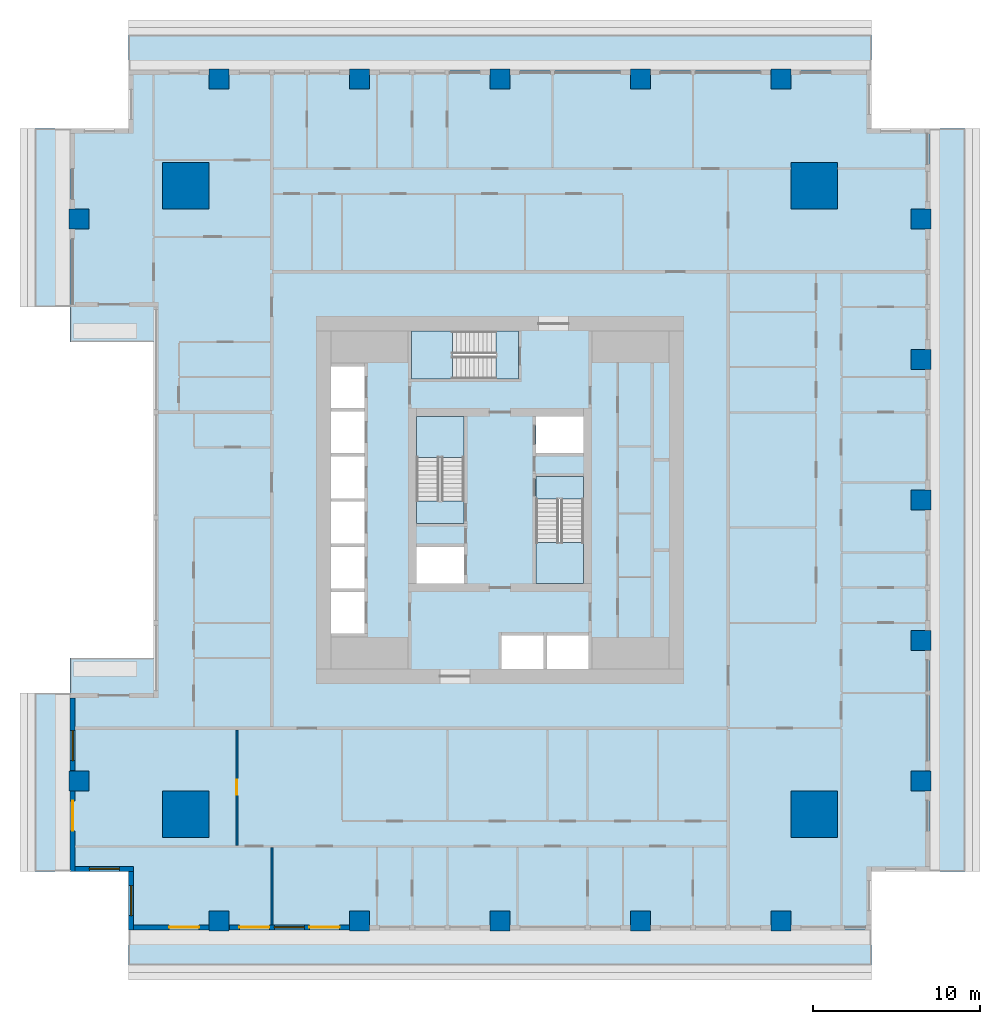
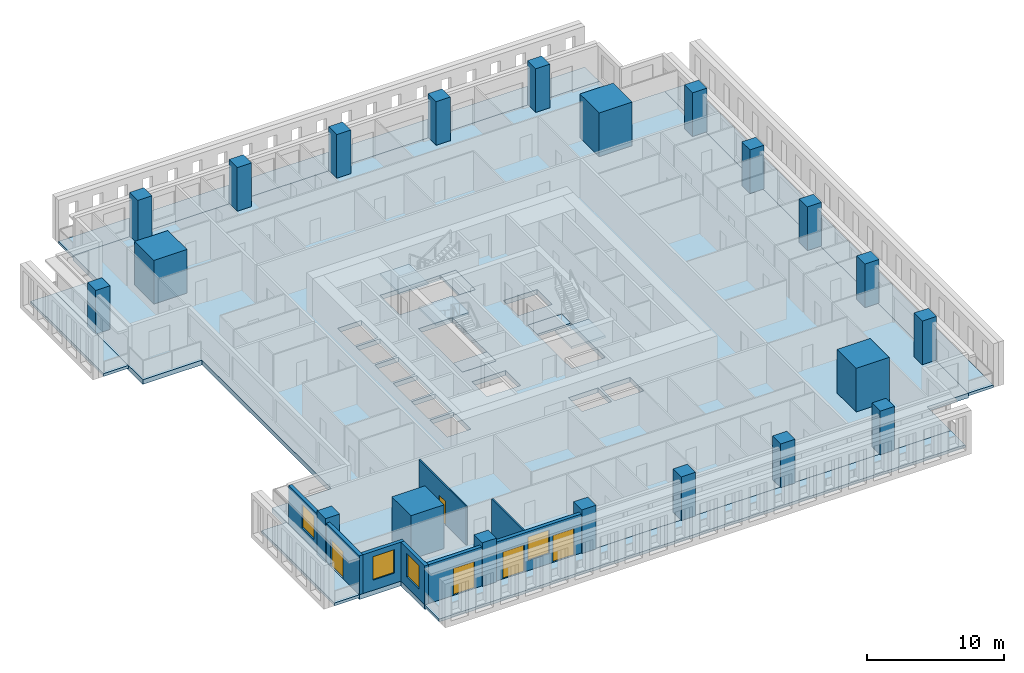
# One storey, part 1 of 14: 21 columns, 12 slabs, 8 walls, 5 doors, 4 windows, 9 openings, 3 elements without a shape of their own.
"""IFC4 building model written with IfcOpenShell, lengths in metres."""

from ifc_helpers import new_model, si_unit, direction, frame, frame_2d, origin, origin_2d, place, context, subcontext, project, spatial, polyline, rectangle, outline, extrude, material, layer, layer_set, material_profile, profile_set, type_object, element, fill, aggregate, save


model = new_model("IFC4")

# Units and contexts
model_context = context("Model", 3, precision=1e-05, world=origin(), true_north=direction((0.0, 1.0)))
body_context = subcontext(model_context, "Body", "Model", "MODEL_VIEW")
ifc_project = project(units=[si_unit("LENGTHUNIT", "METRE"), si_unit("AREAUNIT", "SQUARE_METRE"), si_unit("VOLUMEUNIT", "CUBIC_METRE"), si_unit("PLANEANGLEUNIT", "RADIAN"), si_unit("MASSUNIT", "GRAM", prefix="KILO")], contexts=[model_context])

# Site, building, storey
site_placement = place(None, origin())
site = spatial("IfcSite", under=ifc_project, at=site_placement, CompositionType="ELEMENT")
building_placement = place(site_placement, origin())
building = spatial("IfcBuilding", under=site, at=building_placement, Name="Khepri Terraces", CompositionType="ELEMENT")
storey_placement = place(building_placement, frame((0.0, 0.0, 110.39990234375)))
storey = spatial("IfcBuildingStorey", under=building, at=storey_placement, Name="L26", CompositionType="ELEMENT", Elevation=110.39990234375)

# Columns
ifc_material_1 = material(Name="Concrete C70/85", Category="concrete")
ifc_material_profile_1 = material_profile(ifc_material_1, rectangle(XDim=2.800048828125, YDim=2.800048828125, at=origin_2d()), Name="Concrete C70/85", Category="concrete")
ifc_profile_set_1 = profile_set([ifc_material_profile_1], Name="Concrete C70/85")
column_type_1 = type_object("IfcColumnType", Name="Mega column RC 2800x2800 C70/85", PredefinedType="COLUMN", material=ifc_profile_set_1)
for number, where, z_axis, x_axis, name in (
    (1, (18.800048828125, 18.800048828125, 0.0), (0.0, 0.0, 1.0), (1.0, 0.0, 0.0), "Mega column MEN L26"),
    (2, (18.800048828125, -18.800048828125, 0.0), (0.0, 0.0, 1.0), (1.0, 0.0, 0.0), "Mega column MES L26"),
    (3, (-18.800048828125, 18.800048828125, 0.0), (0.0, 0.0, 1.0), (1.0, 0.0, 0.0), "Mega column MWN L26"),
    (4, (-18.800048828125, -18.800048828125, 0.0), (0.0, 0.0, 1.0), (1.0, 0.0, 0.0), "Mega column MWS L26"),
):
    element("IfcColumn", number, at=place(storey_placement, frame(where, z_axis=z_axis, x_axis=x_axis)), inside=storey, type_object=column_type_1, Name=name, PredefinedType="COLUMN", context=body_context, shape_type="SweptSolid", body=[
        extrude(rectangle(XDim=2.800048828125, YDim=2.800048828125, at=origin_2d()), origin(), (0.0, 0.0, 1.0), 3.900146484375),
    ])
ifc_material_profile_2 = material_profile(ifc_material_1, rectangle(XDim=1.199951171875, YDim=1.199951171875, at=origin_2d()), Name="Concrete C70/85", Category="concrete")
ifc_profile_set_2 = profile_set([ifc_material_profile_2], Name="Concrete C70/85")
column_type_2 = type_object("IfcColumnType", Name="Tower column RC 1200x1200 C70/85", PredefinedType="COLUMN", material=ifc_profile_set_2)
for number, where, z_axis, x_axis, name in (
    (5, (25.199951171875, 0.0, 0.0), (0.0, 0.0, 1.0), (1.0, 0.0, 0.0), "Perimeter column PE+000a L26"),
    (6, (25.199951171875, 8.39990234375, 0.0), (0.0, 0.0, 1.0), (1.0, 0.0, 0.0), "Perimeter column PE+084a L26"),
    (7, (25.199951171875, 16.800048828125, 0.0), (0.0, 0.0, 1.0), (1.0, 0.0, 0.0), "Perimeter column PE+168a L26"),
    (8, (25.199951171875, -8.39990234375, 0.0), (0.0, 0.0, 1.0), (1.0, 0.0, 0.0), "Perimeter column PE-084a L26"),
    (9, (25.199951171875, -16.800048828125, 0.0), (0.0, 0.0, 1.0), (1.0, 0.0, 0.0), "Perimeter column PE-168a L26"),
    (10, (0.0, 25.199951171875, 0.0), (0.0, 0.0, 1.0), (1.0, 0.0, 0.0), "Perimeter column PN+000a L26"),
    (11, (-8.39990234375, 25.199951171875, 0.0), (0.0, 0.0, 1.0), (1.0, 0.0, 0.0), "Perimeter column PN+084a L26"),
    (12, (-16.800048828125, 25.199951171875, 0.0), (0.0, 0.0, 1.0), (1.0, 0.0, 0.0), "Perimeter column PN+168a L26"),
    (13, (8.39990234375, 25.199951171875, 0.0), (0.0, 0.0, 1.0), (1.0, 0.0, 0.0), "Perimeter column PN-084a L26"),
    (14, (16.800048828125, 25.199951171875, 0.0), (0.0, 0.0, 1.0), (1.0, 0.0, 0.0), "Perimeter column PN-168a L26"),
    (15, (0.0, -25.199951171875, 0.0), (0.0, 0.0, 1.0), (1.0, 0.0, 0.0), "Perimeter column PS+000b L26"),
    (16, (8.39990234375, -25.199951171875, 0.0), (0.0, 0.0, 1.0), (1.0, 0.0, 0.0), "Perimeter column PS+084b L26"),
    (17, (16.800048828125, -25.199951171875, 0.0), (0.0, 0.0, 1.0), (1.0, 0.0, 0.0), "Perimeter column PS+168a L26"),
    (18, (-8.39990234375, -25.199951171875, 0.0), (0.0, 0.0, 1.0), (1.0, 0.0, 0.0), "Perimeter column PS-084b L26"),
    (19, (-16.800048828125, -25.199951171875, 0.0), (0.0, 0.0, 1.0), (1.0, 0.0, 0.0), "Perimeter column PS-168a L26"),
    (20, (-25.199951171875, -16.800048828125, 0.0), (0.0, 0.0, 1.0), (1.0, 0.0, 0.0), "Perimeter column PW+168a L26"),
    (21, (-25.199951171875, 16.800048828125, 0.0), (0.0, 0.0, 1.0), (1.0, 0.0, 0.0), "Perimeter column PW-168a L26"),
):
    element("IfcColumn", number, at=place(storey_placement, frame(where, z_axis=z_axis, x_axis=x_axis)), inside=storey, type_object=column_type_2, Name=name, PredefinedType="COLUMN", context=body_context, shape_type="SweptSolid", body=[
        extrude(rectangle(XDim=1.199951171875, YDim=1.199951171875, at=origin_2d()), origin(), (0.0, 0.0, 1.0), 3.900146484375),
    ])

# Slabs
ifc_material_2 = material(Name="Concrete C40/50", Category="concrete")
ifc_layer_1 = layer(ifc_material_2, 0.419921875, Name="Concrete C40/50", Category="concrete")
ifc_layer_set_1 = layer_set([ifc_layer_1], Name="Concrete C40/50")
slab_type_1 = type_object("IfcSlabType", Name="Flat plate 420", PredefinedType="FLOOR", material=ifc_layer_set_1)
slab_1_placement = place(storey_placement, frame((0.0, 0.0, -0.419921875)))
element("IfcSlab", 22, at=slab_1_placement, inside=storey, type_object=slab_type_1, Name="Floor slab F01 L26", PredefinedType="FLOOR", context=body_context, shape_type="SweptSolid", body=[
    extrude(outline(polyline([(22.219970703125, -25.719970703125), (-22.219970703125, -25.719970703125), (-22.219970703125, -22.219970703125), (-25.719970703125, -22.219970703125), (-25.719970703125, -11.550048828125), (-25.719970703125, -9.449951171875), (-20.719970703125, -9.449951171875), (-20.719970703125, 9.449951171875), (-25.719970703125, 9.449951171875), (-25.719970703125, 11.550048828125), (-25.719970703125, 22.219970703125), (-22.219970703125, 22.219970703125), (-22.219970703125, 25.719970703125), (22.219970703125, 25.719970703125), (22.219970703125, 22.219970703125), (25.719970703125, 22.219970703125), (25.719970703125, -22.219970703125), (22.219970703125, -22.219970703125), (22.219970703125, -25.719970703125)]), holes=[polyline([(5.0, 5.0), (2.14990234375, 5.0), (2.14990234375, 2.800048828125), (5.0, 2.800048828125), (5.0, 5.0)]), polyline([(-2.14990234375, -5.0), (-2.14990234375, -2.800048828125), (-5.0, -2.800048828125), (-5.0, -5.0), (-2.14990234375, -5.0)]), polyline([(-10.10009765625, -8.0), (-8.10009765625, -8.0), (-8.10009765625, -5.5), (-10.10009765625, -5.5), (-10.10009765625, -8.0)]), polyline([(-10.10009765625, -2.800048828125), (-10.10009765625, -5.300048828125), (-8.10009765625, -5.300048828125), (-8.10009765625, -2.800048828125), (-10.10009765625, -2.800048828125)]), polyline([(-8.10009765625, -0.10009765625), (-10.10009765625, -0.10009765625), (-10.10009765625, -2.60009765625), (-8.10009765625, -2.60009765625), (-8.10009765625, -0.10009765625)]), polyline([(-8.10009765625, 0.10009765625), (-8.10009765625, 2.60009765625), (-10.10009765625, 2.60009765625), (-10.10009765625, 0.10009765625), (-8.10009765625, 0.10009765625)]), polyline([(-10.10009765625, 2.800048828125), (-8.10009765625, 2.800048828125), (-8.10009765625, 5.300048828125), (-10.10009765625, 5.300048828125), (-10.10009765625, 2.800048828125)]), polyline([(-10.10009765625, 8.0), (-10.10009765625, 5.5), (-8.10009765625, 5.5), (-8.10009765625, 8.0), (-10.10009765625, 8.0)]), polyline([(2.60009765625, -8.10009765625), (0.10009765625, -8.10009765625), (0.10009765625, -10.10009765625), (2.60009765625, -10.10009765625), (2.60009765625, -8.10009765625)]), polyline([(5.300048828125, -10.10009765625), (5.300048828125, -8.10009765625), (2.800048828125, -8.10009765625), (2.800048828125, -10.10009765625), (5.300048828125, -10.10009765625)]), polyline([(-5.0, -1.39990234375), (-2.14990234375, -1.39990234375), (-2.14990234375, 5.0), (-5.0, 5.0), (-5.0, -1.39990234375)]), polyline([(5.0, -5.0), (5.0, 1.39990234375), (2.14990234375, 1.39990234375), (2.14990234375, -5.0), (5.0, -5.0)]), polyline([(-5.300048828125, 10.10009765625), (-5.300048828125, 7.25), (1.10009765625, 7.25), (1.10009765625, 10.10009765625), (-5.300048828125, 10.10009765625)])]), origin(), (0.0, 0.0, 1.0), 0.419921875),
])
ifc_material_3 = material(Name="Precast concrete C50/60 warm stone", Category="masonry")
ifc_layer_2 = layer(ifc_material_3, 0.25, Name="Precast concrete C50/60 warm stone", Category="masonry")
ifc_layer_set_2 = layer_set([ifc_layer_2], Name="Precast concrete C50/60 warm stone")
slab_type_2 = type_object("IfcSlabType", Name="SLB-BALCONY-250", PredefinedType="FLOOR", material=ifc_layer_set_2)
slab_2_placement = place(storey_placement, frame((0.0, 0.0, -0.25)))
element("IfcSlab", 23, at=slab_2_placement, inside=storey, type_object=slab_type_2, Name="Balcony slab L26 S", PredefinedType="FLOOR", context=body_context, shape_type="SweptSolid", body=[
    extrude(outline(polyline([(-17.39990234375, -25.719970703125), (-22.219970703125, -25.719970703125), (-22.219970703125, -27.820068359375), (22.219970703125, -27.820068359375), (22.219970703125, -25.719970703125), (17.39990234375, -25.719970703125), (17.39990234375, -25.800048828125), (16.199951171875, -25.800048828125), (16.199951171875, -25.719970703125), (9.0, -25.719970703125), (9.0, -25.800048828125), (7.800048828125, -25.800048828125), (7.800048828125, -25.719970703125), (0.60009765625, -25.719970703125), (0.60009765625, -25.800048828125), (-0.60009765625, -25.800048828125), (-0.60009765625, -25.719970703125), (-7.800048828125, -25.719970703125), (-7.800048828125, -25.800048828125), (-9.0, -25.800048828125), (-9.0, -25.719970703125), (-16.199951171875, -25.719970703125), (-16.199951171875, -25.800048828125), (-17.39990234375, -25.800048828125), (-17.39990234375, -25.719970703125)])), origin(), (0.0, 0.0, 1.0), 0.25),
])
slab_3_placement = place(storey_placement, frame((0.0, 0.0, -0.25)))
element("IfcSlab", 24, at=slab_3_placement, inside=storey, type_object=slab_type_2, Name="Balcony slab L26 E", PredefinedType="FLOOR", context=body_context, shape_type="SweptSolid", body=[
    extrude(outline(polyline([(25.719970703125, -17.39990234375), (25.719970703125, -22.219970703125), (27.820068359375, -22.219970703125), (27.820068359375, 22.219970703125), (25.719970703125, 22.219970703125), (25.719970703125, 17.39990234375), (25.800048828125, 17.39990234375), (25.800048828125, 16.199951171875), (25.719970703125, 16.199951171875), (25.719970703125, 9.0), (25.800048828125, 9.0), (25.800048828125, 7.800048828125), (25.719970703125, 7.800048828125), (25.719970703125, 0.60009765625), (25.800048828125, 0.60009765625), (25.800048828125, -0.60009765625), (25.719970703125, -0.60009765625), (25.719970703125, -7.800048828125), (25.800048828125, -7.800048828125), (25.800048828125, -9.0), (25.719970703125, -9.0), (25.719970703125, -16.199951171875), (25.800048828125, -16.199951171875), (25.800048828125, -17.39990234375), (25.719970703125, -17.39990234375)])), origin(), (0.0, 0.0, 1.0), 0.25),
])
slab_4_placement = place(storey_placement, frame((0.0, 0.0, -0.25)))
element("IfcSlab", 25, at=slab_4_placement, inside=storey, type_object=slab_type_2, Name="Balcony slab L26 N", PredefinedType="FLOOR", context=body_context, shape_type="SweptSolid", body=[
    extrude(outline(polyline([(17.39990234375, 25.719970703125), (22.219970703125, 25.719970703125), (22.219970703125, 27.820068359375), (-22.219970703125, 27.820068359375), (-22.219970703125, 25.719970703125), (-17.39990234375, 25.719970703125), (-17.39990234375, 25.800048828125), (-16.199951171875, 25.800048828125), (-16.199951171875, 25.719970703125), (-9.0, 25.719970703125), (-9.0, 25.800048828125), (-7.800048828125, 25.800048828125), (-7.800048828125, 25.719970703125), (-0.60009765625, 25.719970703125), (-0.60009765625, 25.800048828125), (0.60009765625, 25.800048828125), (0.60009765625, 25.719970703125), (7.800048828125, 25.719970703125), (7.800048828125, 25.800048828125), (9.0, 25.800048828125), (9.0, 25.719970703125), (16.199951171875, 25.719970703125), (16.199951171875, 25.800048828125), (17.39990234375, 25.800048828125), (17.39990234375, 25.719970703125)])), origin(), (0.0, 0.0, 1.0), 0.25),
])
slab_5_placement = place(storey_placement, frame((0.0, 0.0, -0.25)))
element("IfcSlab", 26, at=slab_5_placement, inside=storey, type_object=slab_type_2, Name="Balcony slab L26 W", PredefinedType="FLOOR", context=body_context, shape_type="SweptSolid", body=[
    extrude(outline(polyline([(-25.719970703125, 17.39990234375), (-25.719970703125, 22.219970703125), (-27.820068359375, 22.219970703125), (-27.820068359375, 11.550048828125), (-25.719970703125, 11.550048828125), (-25.719970703125, 16.199951171875), (-25.800048828125, 16.199951171875), (-25.800048828125, 17.39990234375), (-25.719970703125, 17.39990234375)])), origin(), (0.0, 0.0, 1.0), 0.25),
])
slab_6_placement = place(storey_placement, frame((0.0, 0.0, -0.25)))
element("IfcSlab", 27, at=slab_6_placement, inside=storey, type_object=slab_type_2, Name="Balcony slab L26 W", PredefinedType="FLOOR", context=body_context, shape_type="SweptSolid", body=[
    extrude(outline(polyline([(-25.719970703125, -16.199951171875), (-25.719970703125, -11.550048828125), (-27.820068359375, -11.550048828125), (-27.820068359375, -22.219970703125), (-25.719970703125, -22.219970703125), (-25.719970703125, -17.39990234375), (-25.800048828125, -17.39990234375), (-25.800048828125, -16.199951171875), (-25.719970703125, -16.199951171875)])), origin(), (0.0, 0.0, 1.0), 0.25),
])

# Stair, slabs
stair_type = type_object("IfcStairType", Name="STAIR-RC-22R", PredefinedType="HALF_TURN_STAIR", material=ifc_material_2)
stair_1_placement = place(storey_placement, origin())
stair_1 = element("IfcStair", 28, at=stair_1_placement, inside=storey, type_object=stair_type, Name="L26 Exit Stair ST-1", PredefinedType="HALF_TURN_STAIR")
ifc_layer_3 = layer(ifc_material_2, 0.199951171875, Name="Concrete C40/50", Category="concrete")
ifc_layer_set_3 = layer_set([ifc_layer_3], Name="Concrete C40/50")
slab_type_3 = type_object("IfcSlabType", Name="SLB-CORE-LANDING", PredefinedType="LANDING", material=ifc_layer_set_3)
slab_7_placement = place(storey_placement, frame((0.0, 0.0, -0.199951171875)))
slab_7 = element("IfcSlab", 29, at=slab_7_placement, type_object=slab_type_3, Name="ST-1 landing 1", PredefinedType="LANDING", context=body_context, shape_type="SweptSolid", body=[
    extrude(outline(polyline([(-2.14990234375, -1.39990234375), (-2.14990234375, -0.050048828125), (-5.0, -0.050048828125), (-5.0, -1.39990234375), (-2.14990234375, -1.39990234375)])), origin(), (0.0, 0.0, 1.0), 0.199951171875),
])
slab_8_placement = place(storey_placement, frame((0.0, 0.0, 1.75)))
slab_8 = element("IfcSlab", 30, at=slab_8_placement, type_object=slab_type_3, Name="ST-1 landing 2", PredefinedType="LANDING", context=body_context, shape_type="SweptSolid", body=[
    extrude(outline(polyline([(-2.14990234375, 2.550048828125), (-2.14990234375, 5.0), (-5.0, 5.0), (-5.0, 2.550048828125), (-2.14990234375, 2.550048828125)])), origin(), (0.0, 0.0, 1.0), 0.2001953125),
])
aggregate(stair_1, [slab_7, slab_8])

stair_2_placement = place(storey_placement, origin())
stair_2 = element("IfcStair", 31, at=stair_2_placement, inside=storey, type_object=stair_type, Name="L26 Exit Stair ST-2", PredefinedType="HALF_TURN_STAIR")
slab_9_placement = place(storey_placement, frame((0.0, 0.0, -0.199951171875)))
slab_9 = element("IfcSlab", 32, at=slab_9_placement, type_object=slab_type_3, Name="ST-2 landing 1", PredefinedType="LANDING", context=body_context, shape_type="SweptSolid", body=[
    extrude(outline(polyline([(2.14990234375, 1.39990234375), (2.14990234375, 0.050048828125), (5.0, 0.050048828125), (5.0, 1.39990234375), (2.14990234375, 1.39990234375)])), origin(), (0.0, 0.0, 1.0), 0.199951171875),
])
slab_10_placement = place(storey_placement, frame((0.0, 0.0, 1.75)))
slab_10 = element("IfcSlab", 33, at=slab_10_placement, type_object=slab_type_3, Name="ST-2 landing 2", PredefinedType="LANDING", context=body_context, shape_type="SweptSolid", body=[
    extrude(outline(polyline([(2.14990234375, -2.550048828125), (2.14990234375, -5.0), (5.0, -5.0), (5.0, -2.550048828125), (2.14990234375, -2.550048828125)])), origin(), (0.0, 0.0, 1.0), 0.2001953125),
])
aggregate(stair_2, [slab_9, slab_10])

stair_3_placement = place(storey_placement, origin())
stair_3 = element("IfcStair", 34, at=stair_3_placement, inside=storey, type_object=stair_type, Name="L26 Exit Stair ST-3", PredefinedType="HALF_TURN_STAIR")
slab_11_placement = place(storey_placement, frame((0.0, 0.0, -0.199951171875)))
slab_11 = element("IfcSlab", 35, at=slab_11_placement, type_object=slab_type_3, Name="ST-3 landing 1", PredefinedType="LANDING", context=body_context, shape_type="SweptSolid", body=[
    extrude(outline(polyline([(1.10009765625, 10.10009765625), (-0.25, 10.10009765625), (-0.25, 7.25), (1.10009765625, 7.25), (1.10009765625, 10.10009765625)])), origin(), (0.0, 0.0, 1.0), 0.199951171875),
])
slab_12_placement = place(storey_placement, frame((0.0, 0.0, 1.75)))
slab_12 = element("IfcSlab", 36, at=slab_12_placement, type_object=slab_type_3, Name="ST-3 landing 2", PredefinedType="LANDING", context=body_context, shape_type="SweptSolid", body=[
    extrude(outline(polyline([(-2.85009765625, 10.10009765625), (-5.300048828125, 10.10009765625), (-5.300048828125, 7.25), (-2.85009765625, 7.25), (-2.85009765625, 10.10009765625)])), origin(), (0.0, 0.0, 1.0), 0.2001953125),
])
aggregate(stair_3, [slab_11, slab_12])

# Wall, opening, window
ifc_layer_4 = layer(ifc_material_3, 0.300048828125, Name="Precast concrete C50/60 warm stone", Category="masonry")
ifc_layer_set_4 = layer_set([ifc_layer_4], Name="Precast concrete C50/60 warm stone")
wall_type_1 = type_object("IfcWallType", Name="WL-EXT-PRECAST-300", PredefinedType="STANDARD", material=ifc_layer_set_4)
wall_1_placement = place(storey_placement, frame((-25.570068359375, -11.85009765625, 0.0), z_axis=(0.0, 0.0, 1.0), x_axis=(0.0, -1.0, 0.0)))
wall_1 = element("IfcWall", 37, at=wall_1_placement, inside=storey, type_object=wall_type_1, Name="External wall L26 W", PredefinedType="STANDARD", context=body_context, shape_type="SweptSolid", body=[
    extrude(rectangle(XDim=4.349853515625, YDim=0.300048828125, at=frame_2d((2.1748046875, 0.0))), origin(), (0.0, 0.0, 1.0), 3.47998046875),
])
opening_1_placement = place(wall_1_placement, frame((1.949951171875, 0.0, 0.89990234375)))
opening_1 = element("IfcOpeningElement", 38, at=opening_1_placement, cuts=wall_1, Name="Opening W1", PredefinedType="OPENING", context=body_context, shape_type="SweptSolid", body=[
    extrude(rectangle(XDim=1.800048828125, YDim=2.10009765625, at=frame_2d((0.89990234375, 1.050048828125))), frame((0.0, 0.16015625, 0.0), z_axis=(0.0, -1.0, 0.0), x_axis=(1.0, 0.0, 0.0)), (0.0, 0.0, 1.0), 0.320068359375),
])
ifc_material_4 = material(Name="Clear glass", Category="glass")
window_type = type_object("IfcWindowType", Name="WIN-RES-1800x2100", PartitioningType="SINGLE_PANEL", PredefinedType="WINDOW", material=ifc_material_4)
window_1_placement = place(opening_1_placement, origin())
window_1 = element("IfcWindow", 39, at=window_1_placement, inside=storey, type_object=window_type, Name="Window L26 W", OverallHeight=2.10009765625, OverallWidth=1.800048828125, PartitioningType="SINGLE_PANEL", PredefinedType="WINDOW", context=body_context, shape_type="SweptSolid", body=[
    extrude(rectangle(XDim=1.800048828125, YDim=2.10009765625, at=frame_2d((0.89990234375, 1.050048828125))), frame((0.0, 0.030029296875, 0.0), z_axis=(0.0, -1.0, 0.0), x_axis=(1.0, 0.0, 0.0)), (0.0, 0.0, 1.0), 0.06005859375),
])
fill(opening_1, window_1)

# Wall, opening, door
wall_2_placement = place(storey_placement, frame((-25.570068359375, -17.39990234375, 0.0), z_axis=(0.0, 0.0, 1.0), x_axis=(0.0, -1.0, 0.0)))
wall_2 = element("IfcWall", 40, at=wall_2_placement, inside=storey, type_object=wall_type_1, Name="External wall L26 W", PredefinedType="STANDARD", context=body_context, shape_type="SweptSolid", body=[
    extrude(rectangle(XDim=4.820068359375, YDim=0.300048828125, at=frame_2d((2.41015625, 0.0))), origin(), (0.0, 0.0, 1.0), 3.47998046875),
])
opening_2_placement = place(wall_2_placement, frame((0.60009765625, 0.0, 0.0)))
opening_2 = element("IfcOpeningElement", 41, at=opening_2_placement, cuts=wall_2, Name="Opening ED-L26-15", PredefinedType="OPENING", context=body_context, shape_type="SweptSolid", body=[
    extrude(rectangle(XDim=1.800048828125, YDim=2.39990234375, at=frame_2d((0.89990234375, 1.199951171875))), frame((0.0, 0.16015625, 0.0), z_axis=(0.0, -1.0, 0.0), x_axis=(1.0, 0.0, 0.0)), (0.0, 0.0, 1.0), 0.320068359375),
])
ifc_material_5 = material(Name="Anodised aluminium bronze glazed door", Category="aluminium")
door_type_1 = type_object("IfcDoorType", Name="DR-BAL-SLIDE-1800x2400", OperationType="NOTDEFINED", PredefinedType="DOOR", material=ifc_material_5)
door_1_placement = place(opening_2_placement, origin())
door_1 = element("IfcDoor", 42, at=door_1_placement, inside=storey, type_object=door_type_1, Name="Balcony door L26 W", OperationType="SLIDING_TO_LEFT", OverallHeight=2.39990234375, OverallWidth=1.800048828125, PredefinedType="DOOR", context=body_context, shape_type="SweptSolid", body=[
    extrude(rectangle(XDim=1.800048828125, YDim=2.39990234375, at=frame_2d((0.89990234375, 1.199951171875))), frame((0.0, 0.02490234375, 0.0), z_axis=(0.0, -1.0, 0.0), x_axis=(1.0, 0.0, 0.0)), (0.0, 0.0, 1.0), 0.050048828125),
])
fill(opening_2, door_1)

# Wall, opening, window
wall_3_placement = place(storey_placement, frame((-25.419921875, -22.070068359375, 0.0), z_axis=(0.0, 0.0, 1.0), x_axis=(1.0, 0.0, 0.0)))
wall_3 = element("IfcWall", 43, at=wall_3_placement, inside=storey, type_object=wall_type_1, Name="External wall L26 S", PredefinedType="STANDARD", context=body_context, shape_type="SweptSolid", body=[
    extrude(rectangle(XDim=3.5, YDim=0.300048828125, at=frame_2d((1.75, 0.0))), origin(), (0.0, 0.0, 1.0), 3.47998046875),
])
opening_3_placement = place(wall_3_placement, frame((0.85009765625, 0.0, 0.89990234375)))
opening_3 = element("IfcOpeningElement", 44, at=opening_3_placement, cuts=wall_3, Name="Opening W1", PredefinedType="OPENING", context=body_context, shape_type="SweptSolid", body=[
    extrude(rectangle(XDim=1.800048828125, YDim=2.10009765625, at=frame_2d((0.89990234375, 1.050048828125))), frame((0.0, 0.16015625, 0.0), z_axis=(0.0, -1.0, 0.0), x_axis=(1.0, 0.0, 0.0)), (0.0, 0.0, 1.0), 0.320068359375),
])
window_2_placement = place(opening_3_placement, origin())
window_2 = element("IfcWindow", 45, at=window_2_placement, inside=storey, type_object=window_type, Name="Window L26 S", OverallHeight=2.10009765625, OverallWidth=1.800048828125, PartitioningType="SINGLE_PANEL", PredefinedType="WINDOW", context=body_context, shape_type="SweptSolid", body=[
    extrude(rectangle(XDim=1.800048828125, YDim=2.10009765625, at=frame_2d((0.89990234375, 1.050048828125))), frame((0.0, 0.030029296875, 0.0), z_axis=(0.0, -1.0, 0.0), x_axis=(1.0, 0.0, 0.0)), (0.0, 0.0, 1.0), 0.06005859375),
])
fill(opening_3, window_2)

wall_4_placement = place(storey_placement, frame((-22.070068359375, -22.219970703125, 0.0), z_axis=(0.0, 0.0, 1.0), x_axis=(0.0, -1.0, 0.0)))
wall_4 = element("IfcWall", 46, at=wall_4_placement, inside=storey, type_object=wall_type_1, Name="External wall L26 W", PredefinedType="STANDARD", context=body_context, shape_type="SweptSolid", body=[
    extrude(rectangle(XDim=3.5, YDim=0.300048828125, at=frame_2d((1.75, 0.0))), origin(), (0.0, 0.0, 1.0), 3.47998046875),
])
opening_4_placement = place(wall_4_placement, frame((0.85009765625, 0.0, 0.89990234375)))
opening_4 = element("IfcOpeningElement", 47, at=opening_4_placement, cuts=wall_4, Name="Opening W1", PredefinedType="OPENING", context=body_context, shape_type="SweptSolid", body=[
    extrude(rectangle(XDim=1.800048828125, YDim=2.10009765625, at=frame_2d((0.89990234375, 1.050048828125))), frame((0.0, 0.16015625, 0.0), z_axis=(0.0, -1.0, 0.0), x_axis=(1.0, 0.0, 0.0)), (0.0, 0.0, 1.0), 0.320068359375),
])
window_3_placement = place(opening_4_placement, origin())
window_3 = element("IfcWindow", 48, at=window_3_placement, inside=storey, type_object=window_type, Name="Window L26 W", OverallHeight=2.10009765625, OverallWidth=1.800048828125, PartitioningType="SINGLE_PANEL", PredefinedType="WINDOW", context=body_context, shape_type="SweptSolid", body=[
    extrude(rectangle(XDim=1.800048828125, YDim=2.10009765625, at=frame_2d((0.89990234375, 1.050048828125))), frame((0.0, 0.030029296875, 0.0), z_axis=(0.0, -1.0, 0.0), x_axis=(1.0, 0.0, 0.0)), (0.0, 0.0, 1.0), 0.06005859375),
])
fill(opening_4, window_3)

# Wall, opening, door
wall_5_placement = place(storey_placement, frame((-21.919921875, -25.570068359375, 0.0), z_axis=(0.0, 0.0, 1.0), x_axis=(1.0, 0.0, 0.0)))
wall_5 = element("IfcWall", 49, at=wall_5_placement, inside=storey, type_object=wall_type_1, Name="External wall L26 S", PredefinedType="STANDARD", context=body_context, shape_type="SweptSolid", body=[
    extrude(rectangle(XDim=4.52001953125, YDim=0.300048828125, at=frame_2d((2.260009765625, 0.0))), origin(), (0.0, 0.0, 1.0), 3.47998046875),
])
opening_5_placement = place(wall_5_placement, frame((2.1201171875, 0.0, 0.0)))
opening_5 = element("IfcOpeningElement", 50, at=opening_5_placement, cuts=wall_5, Name="Opening ED-L26-16", PredefinedType="OPENING", context=body_context, shape_type="SweptSolid", body=[
    extrude(rectangle(XDim=1.800048828125, YDim=2.39990234375, at=frame_2d((0.89990234375, 1.199951171875))), frame((0.0, 0.16015625, 0.0), z_axis=(0.0, -1.0, 0.0), x_axis=(1.0, 0.0, 0.0)), (0.0, 0.0, 1.0), 0.320068359375),
])
door_2_placement = place(opening_5_placement, origin())
door_2 = element("IfcDoor", 51, at=door_2_placement, inside=storey, type_object=door_type_1, Name="Balcony door L26 S", OperationType="SLIDING_TO_RIGHT", OverallHeight=2.39990234375, OverallWidth=1.800048828125, PredefinedType="DOOR", context=body_context, shape_type="SweptSolid", body=[
    extrude(rectangle(XDim=1.800048828125, YDim=2.39990234375, at=frame_2d((0.89990234375, 1.199951171875))), frame((0.0, 0.02490234375, 0.0), z_axis=(0.0, -1.0, 0.0), x_axis=(1.0, 0.0, 0.0)), (0.0, 0.0, 1.0), 0.050048828125),
])
fill(opening_5, door_2)

# Wall, openings, doors, window
wall_6_placement = place(storey_placement, frame((-16.199951171875, -25.570068359375, 0.0), z_axis=(0.0, 0.0, 1.0), x_axis=(1.0, 0.0, 0.0)))
wall_6 = element("IfcWall", 52, at=wall_6_placement, inside=storey, type_object=wall_type_1, Name="External wall L26 S", PredefinedType="STANDARD", context=body_context, shape_type="SweptSolid", body=[
    extrude(rectangle(XDim=7.199951171875, YDim=0.300048828125, at=frame_2d((3.60009765625, 0.0))), origin(), (0.0, 0.0, 1.0), 3.47998046875),
])
opening_6_placement = place(wall_6_placement, frame((0.60009765625, 0.0, 0.0)))
opening_6 = element("IfcOpeningElement", 53, at=opening_6_placement, cuts=wall_6, Name="Opening ED-L26-17", PredefinedType="OPENING", context=body_context, shape_type="SweptSolid", body=[
    extrude(rectangle(XDim=1.800048828125, YDim=2.39990234375, at=frame_2d((0.89990234375, 1.199951171875))), frame((0.0, 0.16015625, 0.0), z_axis=(0.0, -1.0, 0.0), x_axis=(1.0, 0.0, 0.0)), (0.0, 0.0, 1.0), 0.320068359375),
])
opening_7_placement = place(wall_6_placement, frame((2.699951171875, 0.0, 0.89990234375)))
opening_7 = element("IfcOpeningElement", 54, at=opening_7_placement, cuts=wall_6, Name="Opening W1", PredefinedType="OPENING", context=body_context, shape_type="SweptSolid", body=[
    extrude(rectangle(XDim=1.800048828125, YDim=2.10009765625, at=frame_2d((0.89990234375, 1.050048828125))), frame((0.0, 0.16015625, 0.0), z_axis=(0.0, -1.0, 0.0), x_axis=(1.0, 0.0, 0.0)), (0.0, 0.0, 1.0), 0.320068359375),
])
opening_8_placement = place(wall_6_placement, frame((4.800048828125, 0.0, 0.0)))
opening_8 = element("IfcOpeningElement", 55, at=opening_8_placement, cuts=wall_6, Name="Opening ED-L26-18", PredefinedType="OPENING", context=body_context, shape_type="SweptSolid", body=[
    extrude(rectangle(XDim=1.800048828125, YDim=2.39990234375, at=frame_2d((0.89990234375, 1.199951171875))), frame((0.0, 0.16015625, 0.0), z_axis=(0.0, -1.0, 0.0), x_axis=(1.0, 0.0, 0.0)), (0.0, 0.0, 1.0), 0.320068359375),
])
door_3_placement = place(opening_6_placement, origin())
door_3 = element("IfcDoor", 56, at=door_3_placement, inside=storey, type_object=door_type_1, Name="Balcony door L26 S", OperationType="SLIDING_TO_LEFT", OverallHeight=2.39990234375, OverallWidth=1.800048828125, PredefinedType="DOOR", context=body_context, shape_type="SweptSolid", body=[
    extrude(rectangle(XDim=1.800048828125, YDim=2.39990234375, at=frame_2d((0.89990234375, 1.199951171875))), frame((0.0, 0.02490234375, 0.0), z_axis=(0.0, -1.0, 0.0), x_axis=(1.0, 0.0, 0.0)), (0.0, 0.0, 1.0), 0.050048828125),
])
fill(opening_6, door_3)
door_4_placement = place(opening_8_placement, origin())
door_4 = element("IfcDoor", 57, at=door_4_placement, inside=storey, type_object=door_type_1, Name="Balcony door L26 S", OperationType="SLIDING_TO_RIGHT", OverallHeight=2.39990234375, OverallWidth=1.800048828125, PredefinedType="DOOR", context=body_context, shape_type="SweptSolid", body=[
    extrude(rectangle(XDim=1.800048828125, YDim=2.39990234375, at=frame_2d((0.89990234375, 1.199951171875))), frame((0.0, 0.02490234375, 0.0), z_axis=(0.0, -1.0, 0.0), x_axis=(1.0, 0.0, 0.0)), (0.0, 0.0, 1.0), 0.050048828125),
])
fill(opening_8, door_4)
window_4_placement = place(opening_7_placement, origin())
window_4 = element("IfcWindow", 58, at=window_4_placement, inside=storey, type_object=window_type, Name="Window L26 S", OverallHeight=2.10009765625, OverallWidth=1.800048828125, PartitioningType="SINGLE_PANEL", PredefinedType="WINDOW", context=body_context, shape_type="SweptSolid", body=[
    extrude(rectangle(XDim=1.800048828125, YDim=2.10009765625, at=frame_2d((0.89990234375, 1.050048828125))), frame((0.0, 0.030029296875, 0.0), z_axis=(0.0, -1.0, 0.0), x_axis=(1.0, 0.0, 0.0)), (0.0, 0.0, 1.0), 0.06005859375),
])
fill(opening_7, window_4)

# Wall
ifc_material_6 = material(Name="Gypsum plasterboard partition")
ifc_layer_5 = layer(ifc_material_6, 0.1201171875, Name="Gypsum plasterboard partition")
ifc_layer_set_5 = layer_set([ifc_layer_5], Name="Gypsum plasterboard partition")
wall_type_2 = type_object("IfcWallType", Name="WL-PART-120", PredefinedType="PARTITIONING", material=ifc_layer_set_5)
wall_7_placement = place(storey_placement, frame((-13.64990234375, -25.419921875, 0.0), z_axis=(0.0, 0.0, 1.0), x_axis=(0.0, 1.0, 0.0)))
element("IfcWall", 59, at=wall_7_placement, inside=storey, type_object=wall_type_2, Name="Partition P-001 L26", PredefinedType="PARTITIONING", context=body_context, shape_type="SweptSolid", body=[
    extrude(rectangle(XDim=4.639892578125, YDim=0.1201171875, at=frame_2d((2.31982421875, 0.0))), origin(), (0.0, 0.0, 1.0), 3.47998046875),
])

# Wall, opening, door
wall_8_placement = place(storey_placement, frame((-15.75, -20.659912109375, 0.0), z_axis=(0.0, 0.0, 1.0), x_axis=(0.0, 1.0, 0.0)))
wall_8 = element("IfcWall", 60, at=wall_8_placement, inside=storey, type_object=wall_type_2, Name="Partition P-012 L26", PredefinedType="PARTITIONING", context=body_context, shape_type="SweptSolid", body=[
    extrude(rectangle(XDim=6.909912109375, YDim=0.1201171875, at=frame_2d((3.455078125, 0.0))), origin(), (0.0, 0.0, 1.0), 3.47998046875),
])
opening_9_placement = place(wall_8_placement, frame((3.02490234375, 0.0, 0.0)))
opening_9 = element("IfcOpeningElement", 61, at=opening_9_placement, cuts=wall_8, Name="Opening D3", PredefinedType="OPENING", context=body_context, shape_type="SweptSolid", body=[
    extrude(rectangle(XDim=0.89990234375, YDim=2.10009765625, at=frame_2d((0.449951171875, 1.050048828125))), frame((0.0, 0.070068359375, 0.0), z_axis=(0.0, -1.0, 0.0), x_axis=(1.0, 0.0, 0.0)), (0.0, 0.0, 1.0), 0.14013671875),
])
ifc_material_7 = material(Name="Timber door leaf", Category="wood")
door_type_2 = type_object("IfcDoorType", Name="DR-INT-900", OperationType="NOTDEFINED", PredefinedType="DOOR", material=ifc_material_7)
door_5_placement = place(opening_9_placement, origin())
door_5 = element("IfcDoor", 62, at=door_5_placement, inside=storey, type_object=door_type_2, Name="Door Home Cinema", OperationType="SINGLE_SWING_RIGHT", OverallHeight=2.10009765625, OverallWidth=0.89990234375, PredefinedType="DOOR", context=body_context, shape_type="SweptSolid", body=[
    extrude(rectangle(XDim=0.89990234375, YDim=2.10009765625, at=frame_2d((0.449951171875, 1.050048828125))), frame((0.0, 0.02490234375, 0.0), z_axis=(0.0, -1.0, 0.0), x_axis=(1.0, 0.0, 0.0)), (0.0, 0.0, 1.0), 0.050048828125),
])
fill(opening_9, door_5)

save(model, "model.ifc")
